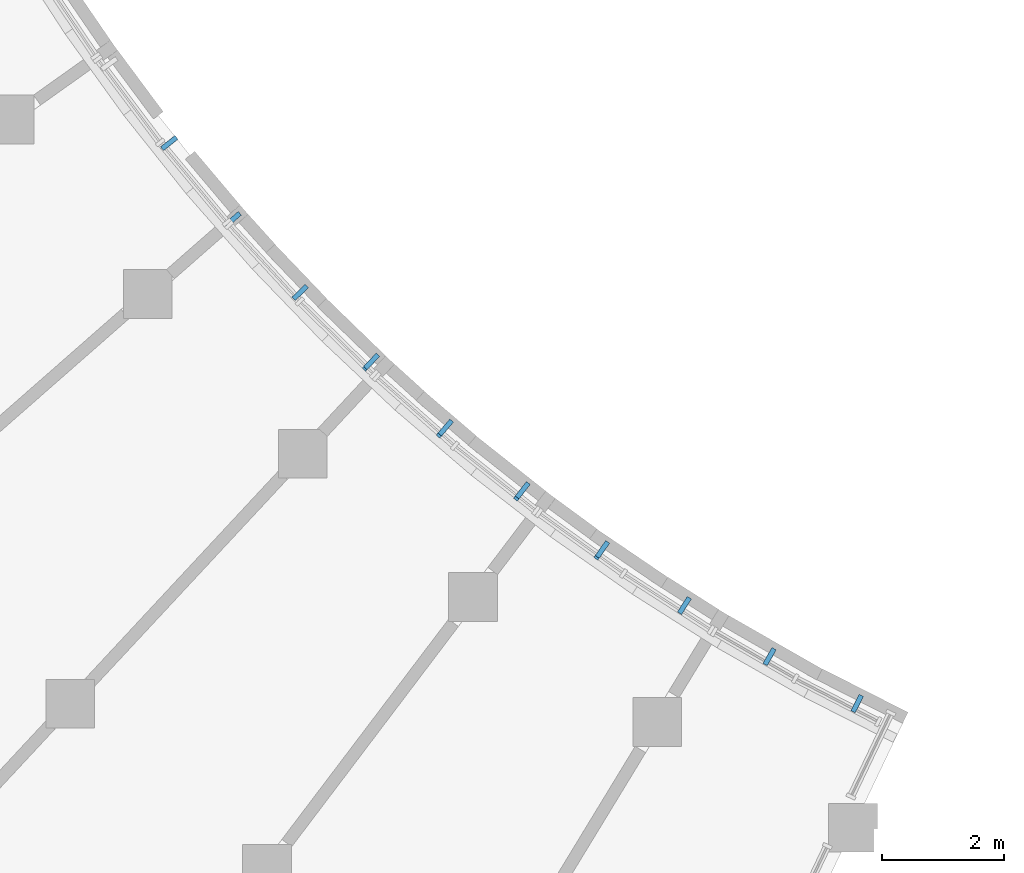
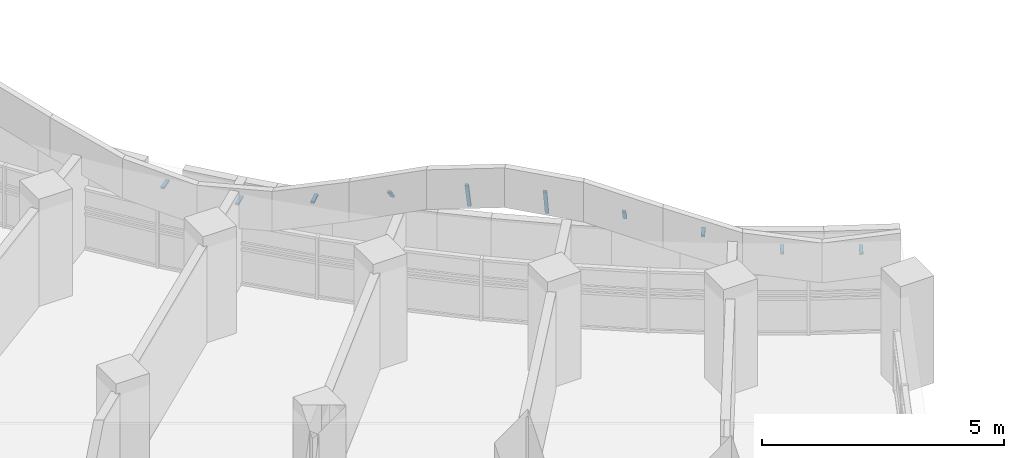
# One storey, part 74 of 89: 10 discrete accessories.
"""IFC4 building model written with IfcOpenShell, lengths in metres."""

from ifc_helpers import new_model, si_unit, direction, frame, origin, origin_2d, place, context, subcontext, project, spatial, rectangle, extrude, material, material_profile, profile_set, type_object, element, save


model = new_model("IFC4")

# Units and contexts
model_context = context("Model", 3, precision=1e-05, world=origin(), true_north=direction((0.0, 1.0)))
body_context = subcontext(model_context, "Body", "Model", "MODEL_VIEW")
ifc_project = project(units=[si_unit("LENGTHUNIT", "METRE"), si_unit("AREAUNIT", "SQUARE_METRE"), si_unit("VOLUMEUNIT", "CUBIC_METRE"), si_unit("PLANEANGLEUNIT", "RADIAN"), si_unit("MASSUNIT", "GRAM", prefix="KILO")], contexts=[model_context])

# Site, building, storey
site_placement = place(None, origin())
site = spatial("IfcSite", under=ifc_project, at=site_placement, CompositionType="ELEMENT")
building_placement = place(site_placement, origin())
building = spatial("IfcBuilding", under=site, at=building_placement, Name="Bougainvillea Quay General Hospital", CompositionType="ELEMENT")
storey_placement = place(building_placement, frame((0.0, 0.0, 9.89990234375)))
storey = spatial("IfcBuildingStorey", under=building, at=storey_placement, Name="L01M", CompositionType="ELEMENT", Elevation=9.89990234375)

# Discrete accessories
ifc_material = material(Name="Stainless steel bracket, grade 316", Category="steel")
ifc_material_profile = material_profile(ifc_material, rectangle(XDim=0.080078125, YDim=0.050048828125, at=origin_2d()))
ifc_profile_set = profile_set([ifc_material_profile], Name="Stainless steel bracket, grade 316")
discrete_accessory_type = type_object("IfcDiscreteAccessoryType", Name="Stainless steel stand-off bracket 80x50", PredefinedType="BRACKET", material=ifc_profile_set)
discrete_accessory_1_placement = place(storey_placement, frame((93.839111328125, 95.6787109375, 1.998291015625), z_axis=(-0.451766148792, -0.892136394732, 0.0), x_axis=(0.892136394732, -0.451766148792, 0.0)))
element("IfcDiscreteAccessory", 1, at=discrete_accessory_1_placement, inside=storey, type_object=discrete_accessory_type, Name="Fascia bracket a03 1", PredefinedType="BRACKET", context=body_context, shape_type="SweptSolid", body=[
    extrude(rectangle(XDim=0.080078125, YDim=0.050048828125, at=origin_2d()), origin(), (0.0, 0.0, 1.0), 0.300048828125),
])
for number, where, z_axis, x_axis, name in (
    (2, (92.40966796875, 96.4462890625, 2.03564453125), (-0.494121290089, -0.869392978279, 0.0), (0.869392978279, -0.494121290089, 0.0), "Fascia bracket a03 2"),
    (3, (91.018310546875, 97.28125, 2.45703125), (-0.534819664532, -0.844966227982, 0.0), (0.844966227982, -0.534819664532, 0.0), "Fascia bracket a03 3"),
):
    element("IfcDiscreteAccessory", number, at=place(storey_placement, frame(where, z_axis=z_axis, x_axis=x_axis)), inside=storey, type_object=discrete_accessory_type, Name=name, PredefinedType="BRACKET", context=body_context, shape_type="SweptSolid", body=[
        extrude(rectangle(XDim=0.080078125, YDim=0.050048828125, at=origin_2d()), origin(), (0.0, 0.0, 1.0), 0.2998046875),
    ])
discrete_accessory_2_placement = place(storey_placement, frame((89.668701171875, 98.181640625, 2.64013671875), z_axis=(-0.356920792491, -0.507867492569, 0.784014131173), x_axis=(0.818160675661, -0.574989659734, 0.0)))
element("IfcDiscreteAccessory", 4, at=discrete_accessory_2_placement, inside=storey, type_object=discrete_accessory_type, Name="Fascia bracket a03 4", PredefinedType="BRACKET", context=body_context, shape_type="SweptSolid", body=[
    extrude(rectangle(XDim=0.080078125, YDim=0.050048828125, at=origin_2d()), origin(), (0.0, 0.0, 1.0), 0.483642578125),
])
discrete_accessory_3_placement = place(storey_placement, frame((88.36328125, 99.1455078125, 2.64013671875), z_axis=(-0.225874185185, -0.291266711573, 0.929593758153), x_axis=(0.790227844169, -0.61281314795, 0.0)))
element("IfcDiscreteAccessory", 5, at=discrete_accessory_3_placement, inside=storey, type_object=discrete_accessory_type, Name="Fascia bracket a03 5", PredefinedType="BRACKET", context=body_context, shape_type="SweptSolid", body=[
    extrude(rectangle(XDim=0.080078125, YDim=0.050048828125, at=origin_2d()), origin(), (0.0, 0.0, 1.0), 0.81396484375),
])
discrete_accessory_4_placement = place(storey_placement, frame((87.10546875, 100.17041015625, 2.64013671875), z_axis=(-0.24715581148, -0.288915554346, 0.924900971622), x_axis=(0.759887969129, -0.650054054962, 0.0)))
element("IfcDiscreteAccessory", 6, at=discrete_accessory_4_placement, inside=storey, type_object=discrete_accessory_type, Name="Fascia bracket a03 6", PredefinedType="BRACKET", context=body_context, shape_type="SweptSolid", body=[
    extrude(rectangle(XDim=0.080078125, YDim=0.050048828125, at=origin_2d()), origin(), (0.0, 0.0, 1.0), 0.789306640625),
])
discrete_accessory_5_placement = place(storey_placement, frame((85.89794921875, 101.254150390625, 2.64013671875), z_axis=(-0.472550650767, -0.501734301408, 0.724540249572), x_axis=(0.727960895499, -0.685618651018, 0.0)))
element("IfcDiscreteAccessory", 7, at=discrete_accessory_5_placement, inside=storey, type_object=discrete_accessory_type, Name="Fascia bracket a03 7", PredefinedType="BRACKET", context=body_context, shape_type="SweptSolid", body=[
    extrude(rectangle(XDim=0.080078125, YDim=0.050048828125, at=origin_2d()), origin(), (0.0, 0.0, 1.0), 0.43505859375),
])
discrete_accessory_6_placement = place(storey_placement, frame((84.74365234375, 102.394287109375, 2.392333984375), z_axis=(-0.719611825781, -0.694376569447, 0.0), x_axis=(0.694376569447, -0.719611825781, 0.0)))
element("IfcDiscreteAccessory", 8, at=discrete_accessory_6_placement, inside=storey, type_object=discrete_accessory_type, Name="Fascia bracket a03 8", PredefinedType="BRACKET", context=body_context, shape_type="SweptSolid", body=[
    extrude(rectangle(XDim=0.080078125, YDim=0.050048828125, at=origin_2d()), origin(), (0.0, 0.0, 1.0), 0.2998046875),
])
for number, where, z_axis, x_axis, name in (
    (9, (83.64501953125, 103.58837890625, 2.008056640625), (-0.751971412186, -0.659195718475, 0.0), (0.659195718475, -0.751971412186, 0.0), "Fascia bracket a03 9"),
    (10, (82.604736328125, 104.83349609375, 2.024658203125), (-0.78269113231, -0.622410307918, 0.0), (0.622410307918, -0.78269113231, 0.0), "Fascia bracket a03 10"),
):
    element("IfcDiscreteAccessory", number, at=place(storey_placement, frame(where, z_axis=z_axis, x_axis=x_axis)), inside=storey, type_object=discrete_accessory_type, Name=name, PredefinedType="BRACKET", context=body_context, shape_type="SweptSolid", body=[
        extrude(rectangle(XDim=0.080078125, YDim=0.050048828125, at=origin_2d()), origin(), (0.0, 0.0, 1.0), 0.300048828125),
    ])

save(model, "model.ifc")
